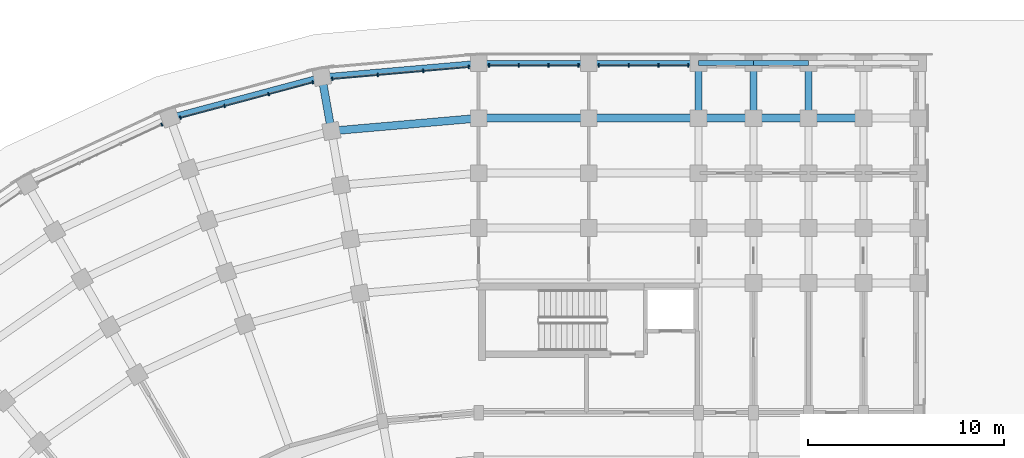
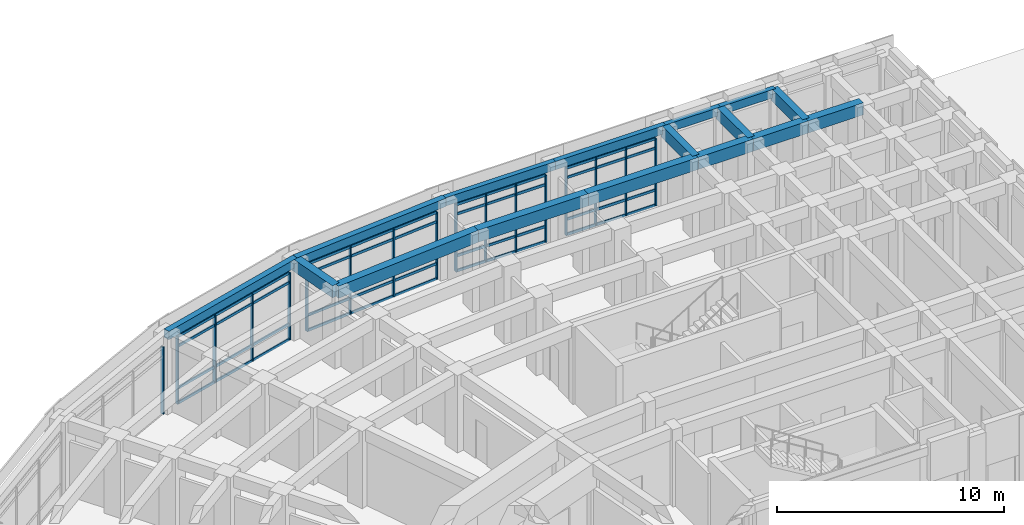
# One storey, part 54 of 135: 33 members, 16 beams, 5 elements without a shape of their own.
"""IFC4 building model written with IfcOpenShell, lengths in metres."""

from ifc_helpers import new_model, si_unit, direction, frame, origin, origin_2d, place, context, subcontext, project, spatial, rectangle, extrude, material, material_profile, profile_set, type_object, element, aggregate, save


model = new_model("IFC4")

# Units and contexts
model_context = context("Model", 3, precision=1e-05, world=origin(), true_north=direction((0.0, 1.0)))
body_context = subcontext(model_context, "Body", "Model", "MODEL_VIEW")
ifc_project = project(units=[si_unit("LENGTHUNIT", "METRE"), si_unit("AREAUNIT", "SQUARE_METRE"), si_unit("VOLUMEUNIT", "CUBIC_METRE"), si_unit("PLANEANGLEUNIT", "RADIAN"), si_unit("MASSUNIT", "GRAM", prefix="KILO")], contexts=[model_context])

# Site, building, storey
site_placement = place(None, origin())
site = spatial("IfcSite", under=ifc_project, at=site_placement, CompositionType="ELEMENT")
building_placement = place(site_placement, origin())
building = spatial("IfcBuilding", under=site, at=building_placement, Name="Kiranvali Square Residences", CompositionType="ELEMENT")
storey_placement = place(building_placement, origin())
storey = spatial("IfcBuildingStorey", under=building, at=storey_placement, Name="L00", CompositionType="ELEMENT", Elevation=0.0)

# Beams
ifc_material_1 = material(Name="Concrete M40 (40 MPa)", Category="concrete")
ifc_material_profile_1 = material_profile(ifc_material_1, rectangle(XDim=0.35009765625, YDim=0.64990234375, at=origin_2d()), Name="RC 350x650")
ifc_profile_set_1 = profile_set([ifc_material_profile_1], Name="Concrete M40 (40 MPa)")
beam_type_1 = type_object("IfcBeamType", Name="BM-M40-350x650", PredefinedType="BEAM", material=ifc_profile_set_1)
for number, where, z_axis, x_axis, name in (
    (1, (59.39990234375, 131.0, 3.824951171875), (0.0, 1.0, 0.0), (-1.0, 0.0, 0.0), "L00 beam BM-A-L00-A1T1-67"),
    (2, (62.199951171875, 131.0, 3.824951171875), (0.0, 1.0, 0.0), (-1.0, 0.0, 0.0), "L00 beam BM-A-L00-A1T2-67"),
    (3, (65.0, 131.0, 3.824951171875), (0.0, 1.0, 0.0), (-1.0, 0.0, 0.0), "L00 beam BM-A-L00-A1T3-67"),
):
    element("IfcBeam", number, at=place(storey_placement, frame(where, z_axis=z_axis, x_axis=x_axis)), inside=storey, type_object=beam_type_1, Name=name, PredefinedType="BEAM", context=body_context, shape_type="SweptSolid", body=[
        extrude(rectangle(XDim=0.35009765625, YDim=0.64990234375, at=origin_2d()), origin(), (0.0, 0.0, 1.0), 2.800048828125),
    ])
ifc_material_2 = material(Name="Concrete M45 (45 MPa)", Category="concrete")
ifc_material_profile_2 = material_profile(ifc_material_2, rectangle(XDim=0.39990234375, YDim=0.64990234375, at=origin_2d()), Name="RC 400x650")
ifc_profile_set_2 = profile_set([ifc_material_profile_2], Name="Concrete M45 (45 MPa)")
beam_type_2 = type_object("IfcBeamType", Name="BM-M45-400x650", PredefinedType="BEAM", material=ifc_profile_set_2)
beam_1_placement = place(storey_placement, frame((48.199951171875, 131.0, 3.824951171875), z_axis=(-0.996195195417, -0.087150058103, 0.0), x_axis=(0.087150058103, -0.996195195417, 0.0)))
element("IfcBeam", 4, at=beam_1_placement, inside=storey, type_object=beam_type_2, Name="L00 beam BM-A-L00-C00-R6", PredefinedType="BEAM", context=body_context, shape_type="SweptSolid", body=[
    extrude(rectangle(XDim=0.39990234375, YDim=0.64990234375, at=origin_2d()), origin(), (0.0, 0.0, 1.0), 7.530029296875),
])
beam_2_placement = place(storey_placement, frame((40.698486328125, 130.34375, 3.824951171875), z_axis=(-0.173695795656, 0.984799355489, 0.0), x_axis=(-0.984799355489, -0.173695795656, 0.0)))
element("IfcBeam", 5, at=beam_2_placement, inside=storey, type_object=beam_type_2, Name="L00 beam BM-A-L00-RAD01-67", PredefinedType="BEAM", context=body_context, shape_type="SweptSolid", body=[
    extrude(rectangle(XDim=0.39990234375, YDim=0.64990234375, at=origin_2d()), origin(), (0.0, 0.0, 1.0), 2.7998046875),
])
beam_3_placement = place(storey_placement, frame((48.199951171875, 131.0, 3.824951171875), z_axis=(1.0, 0.0, 0.0), x_axis=(0.0, 1.0, 0.0)))
element("IfcBeam", 6, at=beam_3_placement, inside=storey, type_object=beam_type_2, Name="L00 beam BM-A-L00-A1U0-R6", PredefinedType="BEAM", context=body_context, shape_type="SweptSolid", body=[
    extrude(rectangle(XDim=0.39990234375, YDim=0.64990234375, at=origin_2d()), origin(), (0.0, 0.0, 1.0), 5.60009765625),
])
beam_4_placement = place(storey_placement, frame((53.800048828125, 131.0, 3.824951171875), z_axis=(1.0, 0.0, 0.0), x_axis=(0.0, 1.0, 0.0)))
element("IfcBeam", 7, at=beam_4_placement, inside=storey, type_object=beam_type_2, Name="L00 beam BM-A-L00-A1U1-R6", PredefinedType="BEAM", context=body_context, shape_type="SweptSolid", body=[
    extrude(rectangle(XDim=0.39990234375, YDim=0.64990234375, at=origin_2d()), origin(), (0.0, 0.0, 1.0), 5.599853515625),
])
for number, where, z_axis, x_axis, name in (
    (8, (59.39990234375, 131.0, 3.824951171875), (1.0, 0.0, 0.0), (0.0, 1.0, 0.0), "L00 beam BM-A-L00-A1U2-R6"),
    (9, (62.199951171875, 131.0, 3.824951171875), (1.0, 0.0, 0.0), (0.0, 1.0, 0.0), "L00 beam BM-A-L00-A1U3-R6"),
    (10, (65.0, 131.0, 3.824951171875), (1.0, 0.0, 0.0), (0.0, 1.0, 0.0), "L00 beam BM-A-L00-A1U4-R6"),
):
    element("IfcBeam", number, at=place(storey_placement, frame(where, z_axis=z_axis, x_axis=x_axis)), inside=storey, type_object=beam_type_2, Name=name, PredefinedType="BEAM", context=body_context, shape_type="SweptSolid", body=[
        extrude(rectangle(XDim=0.39990234375, YDim=0.64990234375, at=origin_2d()), origin(), (0.0, 0.0, 1.0), 2.800048828125),
    ])

# Curtain wall, members
ifc_material_3 = material(Name="Anodised bronze aluminium framing", Category="aluminium")
curtain_wall_type = type_object("IfcCurtainWallType", Name="CW-RET-SHOP", PredefinedType="USERDEFINED", material=ifc_material_3)
curtain_wall_1_placement = place(storey_placement, origin())
curtain_wall_1 = element("IfcCurtainWall", 11, at=curtain_wall_1_placement, inside=storey, type_object=curtain_wall_type, Name="Block A L00 rounded-corner arcade curtain wall 1", ObjectType="CURTAIN WALL", PredefinedType="USERDEFINED")
ifc_material_profile_3 = material_profile(ifc_material_3, rectangle(XDim=0.06494140625, YDim=0.159912109375, at=origin_2d()), Name="ALU 65x160")
ifc_profile_set_3 = profile_set([ifc_material_profile_3], Name="Anodised bronze aluminium framing")
member_type_1 = type_object("IfcMemberType", Name="CW-MUL-160", PredefinedType="MULLION", material=ifc_profile_set_3)
member_1_placement = place(storey_placement, frame((47.695068359375, 133.605224609375, 0.02001953125), z_axis=(0.0, 0.0, 1.0), x_axis=(-0.996194698092, -0.087155742748, 0.0)))
member_1 = element("IfcMember", 12, at=member_1_placement, type_object=member_type_1, Name="CW-A-L00-CRV-00 vertical mullion 1", PredefinedType="MULLION", context=body_context, shape_type="SweptSolid", body=[
    extrude(rectangle(XDim=0.06494140625, YDim=0.159912109375, at=origin_2d()), origin(), (0.0, 0.0, 1.0), 3.60986328125),
])
member_2_placement = place(storey_placement, frame((45.377685546875, 133.402587890625, 0.02001953125), z_axis=(0.0, 0.0, 1.0), x_axis=(-0.996194698092, -0.087155742748, 0.0)))
member_2 = element("IfcMember", 13, at=member_2_placement, type_object=member_type_1, Name="CW-A-L00-CRV-00 vertical mullion 2", PredefinedType="MULLION", context=body_context, shape_type="SweptSolid", body=[
    extrude(rectangle(XDim=0.06494140625, YDim=0.159912109375, at=origin_2d()), origin(), (0.0, 0.0, 1.0), 3.60986328125),
])
member_3_placement = place(storey_placement, frame((43.060546875, 133.19970703125, 0.02001953125), z_axis=(0.0, 0.0, 1.0), x_axis=(-0.996194698092, -0.087155742748, 0.0)))
member_3 = element("IfcMember", 14, at=member_3_placement, type_object=member_type_1, Name="CW-A-L00-CRV-00 vertical mullion 3", PredefinedType="MULLION", context=body_context, shape_type="SweptSolid", body=[
    extrude(rectangle(XDim=0.06494140625, YDim=0.159912109375, at=origin_2d()), origin(), (0.0, 0.0, 1.0), 3.60986328125),
])
member_4_placement = place(storey_placement, frame((40.7431640625, 132.9970703125, 0.02001953125), z_axis=(0.0, 0.0, 1.0), x_axis=(-0.996194698092, -0.087155742748, 0.0)))
member_4 = element("IfcMember", 15, at=member_4_placement, type_object=member_type_1, Name="CW-A-L00-CRV-00 vertical mullion 4", PredefinedType="MULLION", context=body_context, shape_type="SweptSolid", body=[
    extrude(rectangle(XDim=0.06494140625, YDim=0.159912109375, at=origin_2d()), origin(), (0.0, 0.0, 1.0), 3.60986328125),
])

curtain_wall_2_placement = place(storey_placement, origin())
curtain_wall_2 = element("IfcCurtainWall", 16, at=curtain_wall_2_placement, inside=storey, type_object=curtain_wall_type, Name="Block A L00 rounded-corner arcade curtain wall 2", ObjectType="CURTAIN WALL", PredefinedType="USERDEFINED")
member_5_placement = place(storey_placement, frame((39.748779296875, 132.82177734375, 0.02001953125), z_axis=(0.0, 0.0, 1.0), x_axis=(-0.965925826289, -0.258819045103, 0.0)))
member_5 = element("IfcMember", 17, at=member_5_placement, type_object=member_type_1, Name="CW-A-L00-CRV-01 vertical mullion 1", PredefinedType="MULLION", context=body_context, shape_type="SweptSolid", body=[
    extrude(rectangle(XDim=0.06494140625, YDim=0.159912109375, at=origin_2d()), origin(), (0.0, 0.0, 1.0), 3.60986328125),
])
member_6_placement = place(storey_placement, frame((37.501953125, 132.2197265625, 0.02001953125), z_axis=(0.0, 0.0, 1.0), x_axis=(-0.965925826289, -0.258819045103, 0.0)))
member_6 = element("IfcMember", 18, at=member_6_placement, type_object=member_type_1, Name="CW-A-L00-CRV-01 vertical mullion 2", PredefinedType="MULLION", context=body_context, shape_type="SweptSolid", body=[
    extrude(rectangle(XDim=0.06494140625, YDim=0.159912109375, at=origin_2d()), origin(), (0.0, 0.0, 1.0), 3.60986328125),
])
member_7_placement = place(storey_placement, frame((35.255126953125, 131.61767578125, 0.02001953125), z_axis=(0.0, 0.0, 1.0), x_axis=(-0.965925826289, -0.258819045103, 0.0)))
member_7 = element("IfcMember", 19, at=member_7_placement, type_object=member_type_1, Name="CW-A-L00-CRV-01 vertical mullion 3", PredefinedType="MULLION", context=body_context, shape_type="SweptSolid", body=[
    extrude(rectangle(XDim=0.06494140625, YDim=0.159912109375, at=origin_2d()), origin(), (0.0, 0.0, 1.0), 3.60986328125),
])
member_8_placement = place(storey_placement, frame((33.00830078125, 131.015625, 0.02001953125), z_axis=(0.0, 0.0, 1.0), x_axis=(-0.965925826289, -0.258819045103, 0.0)))
member_8 = element("IfcMember", 20, at=member_8_placement, type_object=member_type_1, Name="CW-A-L00-CRV-01 vertical mullion 4", PredefinedType="MULLION", context=body_context, shape_type="SweptSolid", body=[
    extrude(rectangle(XDim=0.06494140625, YDim=0.159912109375, at=origin_2d()), origin(), (0.0, 0.0, 1.0), 3.60986328125),
])

# Curtain wall, member
curtain_wall_3_placement = place(storey_placement, origin())
curtain_wall_3 = element("IfcCurtainWall", 21, at=curtain_wall_3_placement, inside=storey, type_object=curtain_wall_type, Name="Block A L00 rounded-corner arcade curtain wall 3", ObjectType="CURTAIN WALL", PredefinedType="USERDEFINED")
member_9_placement = place(storey_placement, frame((32.05908203125, 130.670166015625, 0.02001953125), z_axis=(0.0, 0.0, 1.0), x_axis=(-0.906307787037, -0.422618261741, 0.0)))
member_9 = element("IfcMember", 22, at=member_9_placement, type_object=member_type_1, Name="CW-A-L00-CRV-02 vertical mullion 1", PredefinedType="MULLION", context=body_context, shape_type="SweptSolid", body=[
    extrude(rectangle(XDim=0.06494140625, YDim=0.159912109375, at=origin_2d()), origin(), (0.0, 0.0, 1.0), 3.60986328125),
])
aggregate(curtain_wall_3, [member_9])

# Curtain wall, members
curtain_wall_4_placement = place(storey_placement, origin())
curtain_wall_4 = element("IfcCurtainWall", 23, at=curtain_wall_4_placement, inside=storey, type_object=curtain_wall_type, Name="L00 curtain wall CW-A-L00-A1-0", ObjectType="CURTAIN WALL", PredefinedType="USERDEFINED")
member_10_placement = place(storey_placement, frame((48.719970703125, 133.679931640625, 0.02001953125), z_axis=(0.0, 0.0, 1.0), x_axis=(1.0, 0.0, 0.0)))
member_10 = element("IfcMember", 24, at=member_10_placement, type_object=member_type_1, Name="CW-A-L00-A1-0 vertical mullion 1", PredefinedType="MULLION", context=body_context, shape_type="SweptSolid", body=[
    extrude(rectangle(XDim=0.06494140625, YDim=0.159912109375, at=origin_2d()), origin(), (0.0, 0.0, 1.0), 3.60986328125),
])
member_11_placement = place(storey_placement, frame((50.239990234375, 133.679931640625, 0.02001953125), z_axis=(0.0, 0.0, 1.0), x_axis=(1.0, 0.0, 0.0)))
member_11 = element("IfcMember", 25, at=member_11_placement, type_object=member_type_1, Name="CW-A-L00-A1-0 vertical mullion 2", PredefinedType="MULLION", context=body_context, shape_type="SweptSolid", body=[
    extrude(rectangle(XDim=0.06494140625, YDim=0.159912109375, at=origin_2d()), origin(), (0.0, 0.0, 1.0), 3.60986328125),
])
member_12_placement = place(storey_placement, frame((51.760009765625, 133.679931640625, 0.02001953125), z_axis=(0.0, 0.0, 1.0), x_axis=(1.0, 0.0, 0.0)))
member_12 = element("IfcMember", 26, at=member_12_placement, type_object=member_type_1, Name="CW-A-L00-A1-0 vertical mullion 3", PredefinedType="MULLION", context=body_context, shape_type="SweptSolid", body=[
    extrude(rectangle(XDim=0.06494140625, YDim=0.159912109375, at=origin_2d()), origin(), (0.0, 0.0, 1.0), 3.60986328125),
])
member_13_placement = place(storey_placement, frame((53.280029296875, 133.679931640625, 0.02001953125), z_axis=(0.0, 0.0, 1.0), x_axis=(1.0, 0.0, 0.0)))
member_13 = element("IfcMember", 27, at=member_13_placement, type_object=member_type_1, Name="CW-A-L00-A1-0 vertical mullion 4", PredefinedType="MULLION", context=body_context, shape_type="SweptSolid", body=[
    extrude(rectangle(XDim=0.06494140625, YDim=0.159912109375, at=origin_2d()), origin(), (0.0, 0.0, 1.0), 3.60986328125),
])

curtain_wall_5_placement = place(storey_placement, origin())
curtain_wall_5 = element("IfcCurtainWall", 28, at=curtain_wall_5_placement, inside=storey, type_object=curtain_wall_type, Name="L00 curtain wall CW-A-L00-A1-1", ObjectType="CURTAIN WALL", PredefinedType="USERDEFINED")
member_14_placement = place(storey_placement, frame((54.320068359375, 133.679931640625, 0.02001953125), z_axis=(0.0, 0.0, 1.0), x_axis=(1.0, 0.0, 0.0)))
member_14 = element("IfcMember", 29, at=member_14_placement, type_object=member_type_1, Name="CW-A-L00-A1-1 vertical mullion 1", PredefinedType="MULLION", context=body_context, shape_type="SweptSolid", body=[
    extrude(rectangle(XDim=0.06494140625, YDim=0.159912109375, at=origin_2d()), origin(), (0.0, 0.0, 1.0), 3.60986328125),
])
member_15_placement = place(storey_placement, frame((55.840087890625, 133.679931640625, 0.02001953125), z_axis=(0.0, 0.0, 1.0), x_axis=(1.0, 0.0, 0.0)))
member_15 = element("IfcMember", 30, at=member_15_placement, type_object=member_type_1, Name="CW-A-L00-A1-1 vertical mullion 2", PredefinedType="MULLION", context=body_context, shape_type="SweptSolid", body=[
    extrude(rectangle(XDim=0.06494140625, YDim=0.159912109375, at=origin_2d()), origin(), (0.0, 0.0, 1.0), 3.60986328125),
])
member_16_placement = place(storey_placement, frame((57.360107421875, 133.679931640625, 0.02001953125), z_axis=(0.0, 0.0, 1.0), x_axis=(1.0, 0.0, 0.0)))
member_16 = element("IfcMember", 31, at=member_16_placement, type_object=member_type_1, Name="CW-A-L00-A1-1 vertical mullion 3", PredefinedType="MULLION", context=body_context, shape_type="SweptSolid", body=[
    extrude(rectangle(XDim=0.06494140625, YDim=0.159912109375, at=origin_2d()), origin(), (0.0, 0.0, 1.0), 3.60986328125),
])
member_17_placement = place(storey_placement, frame((58.8798828125, 133.679931640625, 0.02001953125), z_axis=(0.0, 0.0, 1.0), x_axis=(1.0, 0.0, 0.0)))
member_17 = element("IfcMember", 32, at=member_17_placement, type_object=member_type_1, Name="CW-A-L00-A1-1 vertical mullion 4", PredefinedType="MULLION", context=body_context, shape_type="SweptSolid", body=[
    extrude(rectangle(XDim=0.06494140625, YDim=0.159912109375, at=origin_2d()), origin(), (0.0, 0.0, 1.0), 3.60986328125),
])

# Member
ifc_material_profile_4 = material_profile(ifc_material_3, rectangle(XDim=0.06494140625, YDim=0.139892578125, at=origin_2d()), Name="ALU 65x140")
ifc_profile_set_4 = profile_set([ifc_material_profile_4], Name="Anodised bronze aluminium framing")
member_type_2 = type_object("IfcMemberType", Name="CW-TRN-140", PredefinedType="MULLION", material=ifc_profile_set_4)
member_18_placement = place(storey_placement, frame((47.68505859375, 133.6044921875, 0.0400390625), z_axis=(-0.996191851174, -0.087188277046, 0.0), x_axis=(0.087188277046, -0.996191851174, 0.0)))
member_18 = element("IfcMember", 33, at=member_18_placement, type_object=member_type_2, Name="CW-A-L00-CRV-00 horizontal transom 1", PredefinedType="MULLION", context=body_context, shape_type="SweptSolid", body=[
    extrude(rectangle(XDim=0.06494140625, YDim=0.139892578125, at=origin_2d()), origin(), (0.0, 0.0, 1.0), 6.95849609375),
])

member_19_placement = place(storey_placement, frame((47.68505859375, 133.6044921875, 0.85009765625), z_axis=(-0.996191851174, -0.087188277046, 0.0), x_axis=(0.087188277046, -0.996191851174, 0.0)))
member_19 = element("IfcMember", 34, at=member_19_placement, type_object=member_type_2, Name="CW-A-L00-CRV-00 horizontal transom 2", PredefinedType="MULLION", context=body_context, shape_type="SweptSolid", body=[
    extrude(rectangle(XDim=0.06494140625, YDim=0.139892578125, at=origin_2d()), origin(), (0.0, 0.0, 1.0), 6.95849609375),
])

member_20_placement = place(storey_placement, frame((47.68505859375, 133.6044921875, 3.10009765625), z_axis=(-0.996191851174, -0.087188277046, 0.0), x_axis=(0.087188277046, -0.996191851174, 0.0)))
member_20 = element("IfcMember", 35, at=member_20_placement, type_object=member_type_2, Name="CW-A-L00-CRV-00 horizontal transom 3", PredefinedType="MULLION", context=body_context, shape_type="SweptSolid", body=[
    extrude(rectangle(XDim=0.06494140625, YDim=0.139892578125, at=origin_2d()), origin(), (0.0, 0.0, 1.0), 6.95849609375),
])

member_21_placement = place(storey_placement, frame((47.68505859375, 133.6044921875, 3.610107421875), z_axis=(-0.996191851174, -0.087188277046, 0.0), x_axis=(0.087188277046, -0.996191851174, 0.0)))
member_21 = element("IfcMember", 36, at=member_21_placement, type_object=member_type_2, Name="CW-A-L00-CRV-00 horizontal transom 4", PredefinedType="MULLION", context=body_context, shape_type="SweptSolid", body=[
    extrude(rectangle(XDim=0.06494140625, YDim=0.139892578125, at=origin_2d()), origin(), (0.0, 0.0, 1.0), 6.95849609375),
])

aggregate(curtain_wall_1, [member_1, member_2, member_3, member_4, member_18, member_19, member_20, member_21])

member_22_placement = place(storey_placement, frame((39.739013671875, 132.819091796875, 0.0400390625), z_axis=(-0.96592267958, -0.258830788495, 0.0), x_axis=(0.258830788495, -0.96592267958, 0.0)))
member_22 = element("IfcMember", 37, at=member_22_placement, type_object=member_type_2, Name="CW-A-L00-CRV-01 horizontal transom 1", PredefinedType="MULLION", context=body_context, shape_type="SweptSolid", body=[
    extrude(rectangle(XDim=0.06494140625, YDim=0.139892578125, at=origin_2d()), origin(), (0.0, 0.0, 1.0), 6.958251953125),
])

member_23_placement = place(storey_placement, frame((39.739013671875, 132.819091796875, 0.85009765625), z_axis=(-0.96592267958, -0.258830788495, 0.0), x_axis=(0.258830788495, -0.96592267958, 0.0)))
member_23 = element("IfcMember", 38, at=member_23_placement, type_object=member_type_2, Name="CW-A-L00-CRV-01 horizontal transom 2", PredefinedType="MULLION", context=body_context, shape_type="SweptSolid", body=[
    extrude(rectangle(XDim=0.06494140625, YDim=0.139892578125, at=origin_2d()), origin(), (0.0, 0.0, 1.0), 6.958251953125),
])

member_24_placement = place(storey_placement, frame((39.739013671875, 132.819091796875, 3.10009765625), z_axis=(-0.96592267958, -0.258830788495, 0.0), x_axis=(0.258830788495, -0.96592267958, 0.0)))
member_24 = element("IfcMember", 39, at=member_24_placement, type_object=member_type_2, Name="CW-A-L00-CRV-01 horizontal transom 3", PredefinedType="MULLION", context=body_context, shape_type="SweptSolid", body=[
    extrude(rectangle(XDim=0.06494140625, YDim=0.139892578125, at=origin_2d()), origin(), (0.0, 0.0, 1.0), 6.958251953125),
])

member_25_placement = place(storey_placement, frame((39.739013671875, 132.819091796875, 3.610107421875), z_axis=(-0.96592267958, -0.258830788495, 0.0), x_axis=(0.258830788495, -0.96592267958, 0.0)))
member_25 = element("IfcMember", 40, at=member_25_placement, type_object=member_type_2, Name="CW-A-L00-CRV-01 horizontal transom 4", PredefinedType="MULLION", context=body_context, shape_type="SweptSolid", body=[
    extrude(rectangle(XDim=0.06494140625, YDim=0.139892578125, at=origin_2d()), origin(), (0.0, 0.0, 1.0), 6.958251953125),
])

aggregate(curtain_wall_2, [member_5, member_6, member_7, member_8, member_22, member_23, member_24, member_25])

member_26_placement = place(storey_placement, frame((48.72998046875, 133.679931640625, 0.0400390625), z_axis=(1.0, 0.0, 0.0), x_axis=(0.0, 1.0, 0.0)))
member_26 = element("IfcMember", 41, at=member_26_placement, type_object=member_type_2, Name="CW-A-L00-A1-0 horizontal transom 1", PredefinedType="MULLION", context=body_context, shape_type="SweptSolid", body=[
    extrude(rectangle(XDim=0.06494140625, YDim=0.139892578125, at=origin_2d()), origin(), (0.0, 0.0, 1.0), 4.5400390625),
])

member_27_placement = place(storey_placement, frame((48.72998046875, 133.679931640625, 0.85009765625), z_axis=(1.0, 0.0, 0.0), x_axis=(0.0, 1.0, 0.0)))
member_27 = element("IfcMember", 42, at=member_27_placement, type_object=member_type_2, Name="CW-A-L00-A1-0 horizontal transom 2", PredefinedType="MULLION", context=body_context, shape_type="SweptSolid", body=[
    extrude(rectangle(XDim=0.06494140625, YDim=0.139892578125, at=origin_2d()), origin(), (0.0, 0.0, 1.0), 4.5400390625),
])

member_28_placement = place(storey_placement, frame((48.72998046875, 133.679931640625, 3.10009765625), z_axis=(1.0, 0.0, 0.0), x_axis=(0.0, 1.0, 0.0)))
member_28 = element("IfcMember", 43, at=member_28_placement, type_object=member_type_2, Name="CW-A-L00-A1-0 horizontal transom 3", PredefinedType="MULLION", context=body_context, shape_type="SweptSolid", body=[
    extrude(rectangle(XDim=0.06494140625, YDim=0.139892578125, at=origin_2d()), origin(), (0.0, 0.0, 1.0), 4.5400390625),
])

member_29_placement = place(storey_placement, frame((48.72998046875, 133.679931640625, 3.610107421875), z_axis=(1.0, 0.0, 0.0), x_axis=(0.0, 1.0, 0.0)))
member_29 = element("IfcMember", 44, at=member_29_placement, type_object=member_type_2, Name="CW-A-L00-A1-0 horizontal transom 4", PredefinedType="MULLION", context=body_context, shape_type="SweptSolid", body=[
    extrude(rectangle(XDim=0.06494140625, YDim=0.139892578125, at=origin_2d()), origin(), (0.0, 0.0, 1.0), 4.5400390625),
])

aggregate(curtain_wall_4, [member_10, member_11, member_12, member_13, member_26, member_27, member_28, member_29])

member_30_placement = place(storey_placement, frame((54.330078125, 133.679931640625, 0.0400390625), z_axis=(1.0, 0.0, 0.0), x_axis=(0.0, 1.0, 0.0)))
member_30 = element("IfcMember", 45, at=member_30_placement, type_object=member_type_2, Name="CW-A-L00-A1-1 horizontal transom 1", PredefinedType="MULLION", context=body_context, shape_type="SweptSolid", body=[
    extrude(rectangle(XDim=0.06494140625, YDim=0.139892578125, at=origin_2d()), origin(), (0.0, 0.0, 1.0), 4.5400390625),
])

member_31_placement = place(storey_placement, frame((54.330078125, 133.679931640625, 0.85009765625), z_axis=(1.0, 0.0, 0.0), x_axis=(0.0, 1.0, 0.0)))
member_31 = element("IfcMember", 46, at=member_31_placement, type_object=member_type_2, Name="CW-A-L00-A1-1 horizontal transom 2", PredefinedType="MULLION", context=body_context, shape_type="SweptSolid", body=[
    extrude(rectangle(XDim=0.06494140625, YDim=0.139892578125, at=origin_2d()), origin(), (0.0, 0.0, 1.0), 4.5400390625),
])

member_32_placement = place(storey_placement, frame((54.330078125, 133.679931640625, 3.10009765625), z_axis=(1.0, 0.0, 0.0), x_axis=(0.0, 1.0, 0.0)))
member_32 = element("IfcMember", 47, at=member_32_placement, type_object=member_type_2, Name="CW-A-L00-A1-1 horizontal transom 3", PredefinedType="MULLION", context=body_context, shape_type="SweptSolid", body=[
    extrude(rectangle(XDim=0.06494140625, YDim=0.139892578125, at=origin_2d()), origin(), (0.0, 0.0, 1.0), 4.5400390625),
])

member_33_placement = place(storey_placement, frame((54.330078125, 133.679931640625, 3.610107421875), z_axis=(1.0, 0.0, 0.0), x_axis=(0.0, 1.0, 0.0)))
member_33 = element("IfcMember", 48, at=member_33_placement, type_object=member_type_2, Name="CW-A-L00-A1-1 horizontal transom 4", PredefinedType="MULLION", context=body_context, shape_type="SweptSolid", body=[
    extrude(rectangle(XDim=0.06494140625, YDim=0.139892578125, at=origin_2d()), origin(), (0.0, 0.0, 1.0), 4.5400390625),
])

aggregate(curtain_wall_5, [member_14, member_15, member_16, member_17, member_30, member_31, member_32, member_33])

# Beams
ifc_material_profile_5 = material_profile(ifc_material_1, rectangle(XDim=0.25, YDim=0.449951171875, at=origin_2d()), Name="RC 250x450")
ifc_profile_set_5 = profile_set([ifc_material_profile_5], Name="Concrete M40 (40 MPa)")
beam_type_3 = type_object("IfcBeamType", Name="SPN-M40-250x450", PredefinedType="SPANDREL", material=ifc_profile_set_5)
beam_5_placement = place(storey_placement, frame((48.199951171875, 133.800048828125, 3.925048828125), z_axis=(1.0, 0.0, 0.0), x_axis=(0.0, 1.0, 0.0)))
element("IfcBeam", 49, at=beam_5_placement, inside=storey, type_object=beam_type_3, Name="L00 beam BM-A-L00-A1U0-R7", PredefinedType="SPANDREL", context=body_context, shape_type="SweptSolid", body=[
    extrude(rectangle(XDim=0.25, YDim=0.449951171875, at=origin_2d()), origin(), (0.0, 0.0, 1.0), 5.60009765625),
])
beam_6_placement = place(storey_placement, frame((53.800048828125, 133.800048828125, 3.925048828125), z_axis=(1.0, 0.0, 0.0), x_axis=(0.0, 1.0, 0.0)))
element("IfcBeam", 50, at=beam_6_placement, inside=storey, type_object=beam_type_3, Name="L00 beam BM-A-L00-A1U1-R7", PredefinedType="SPANDREL", context=body_context, shape_type="SweptSolid", body=[
    extrude(rectangle(XDim=0.25, YDim=0.449951171875, at=origin_2d()), origin(), (0.0, 0.0, 1.0), 5.599853515625),
])
for number, where, z_axis, x_axis, name in (
    (51, (59.39990234375, 133.800048828125, 3.925048828125), (1.0, 0.0, 0.0), (0.0, 1.0, 0.0), "L00 beam BM-A-L00-A1U2-R7"),
    (52, (62.199951171875, 133.800048828125, 3.925048828125), (1.0, 0.0, 0.0), (0.0, 1.0, 0.0), "L00 beam BM-A-L00-A1U3-R7"),
):
    element("IfcBeam", number, at=place(storey_placement, frame(where, z_axis=z_axis, x_axis=x_axis)), inside=storey, type_object=beam_type_3, Name=name, PredefinedType="SPANDREL", context=body_context, shape_type="SweptSolid", body=[
        extrude(rectangle(XDim=0.25, YDim=0.449951171875, at=origin_2d()), origin(), (0.0, 0.0, 1.0), 2.800048828125),
    ])
ifc_material_profile_6 = material_profile(ifc_material_1, rectangle(XDim=0.300048828125, YDim=0.449951171875, at=origin_2d()), Name="RC 300x450")
ifc_profile_set_6 = profile_set([ifc_material_profile_6], Name="Concrete M40 (40 MPa)")
beam_type_4 = type_object("IfcBeamType", Name="SPN-M40-300x450", PredefinedType="SPANDREL", material=ifc_profile_set_6)
for number, where, z_axis, x_axis, name in (
    (53, (48.199951171875, 133.800048828125, 3.925048828125), (-0.996193254792, -0.087172238171, 0.0), (0.087172238171, -0.996193254792, 0.0), "L00 beam BM-A-L00-C00-R7"),
    (54, (40.212158203125, 133.10107421875, 3.925048828125), (-0.96592902462, -0.258807108475, 0.0), (0.258807108475, -0.96592902462, 0.0), "L00 beam BM-A-L00-C01-R7"),
):
    element("IfcBeam", number, at=place(storey_placement, frame(where, z_axis=z_axis, x_axis=x_axis)), inside=storey, type_object=beam_type_4, Name=name, PredefinedType="SPANDREL", context=body_context, shape_type="SweptSolid", body=[
        extrude(rectangle(XDim=0.300048828125, YDim=0.449951171875, at=origin_2d()), origin(), (0.0, 0.0, 1.0), 8.018310546875),
    ])

save(model, "model.ifc")
